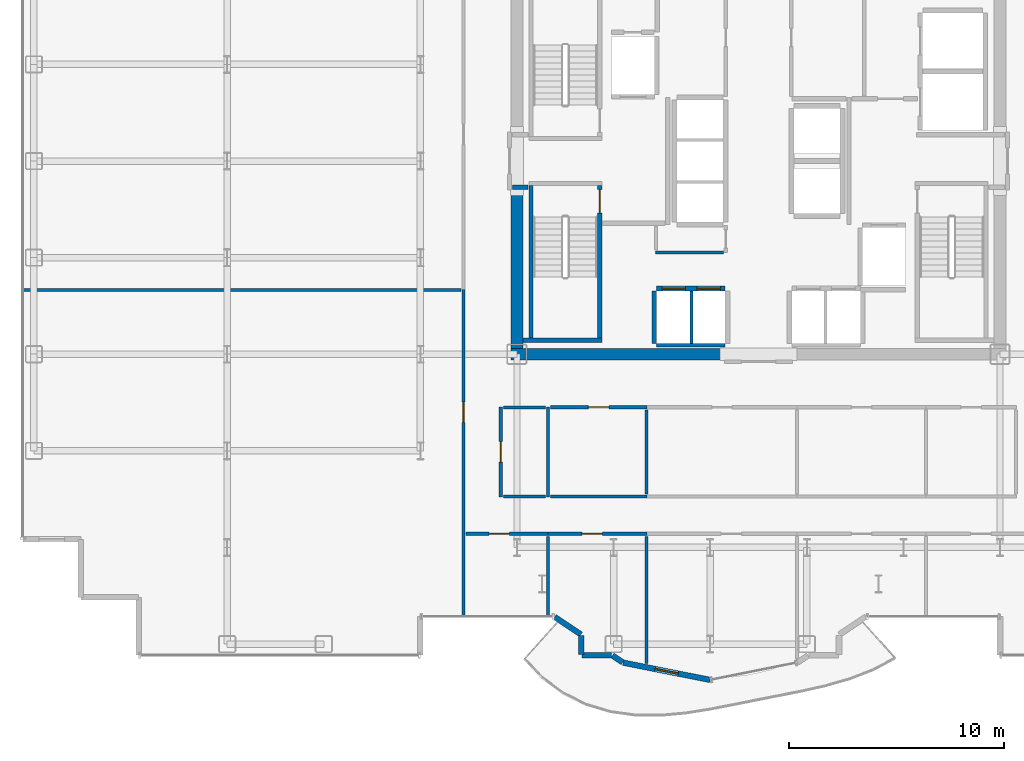
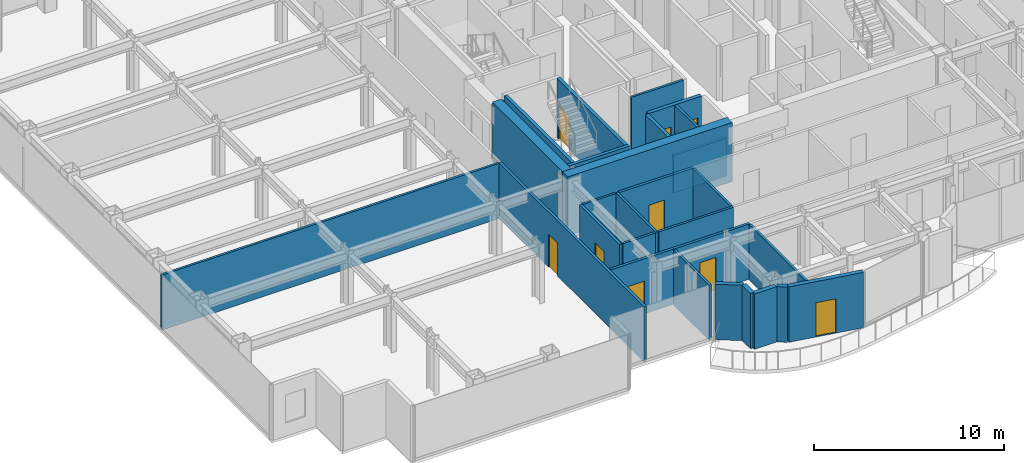
# One storey, part 15 of 22: 29 walls, 9 doors, 9 openings.
"""IFC4 building model written with IfcOpenShell, lengths in metres."""

from ifc_helpers import new_model, si_unit, direction, frame, frame_2d, origin, place, context, subcontext, project, spatial, rectangle, extrude, source, transform, mapped, material, layer, layer_set, type_object, element, fill, save


model = new_model("IFC4")

# Units and contexts
model_context = context("Model", 3, precision=1e-05, world=origin(), true_north=direction((0.0, 1.0)))
body_context = subcontext(model_context, "Body", "Model", "MODEL_VIEW")
ifc_project = project(units=[si_unit("LENGTHUNIT", "METRE"), si_unit("AREAUNIT", "SQUARE_METRE"), si_unit("VOLUMEUNIT", "CUBIC_METRE"), si_unit("PLANEANGLEUNIT", "RADIAN"), si_unit("MASSUNIT", "GRAM", prefix="KILO")], contexts=[model_context])

# Site, building, storey
site_placement = place(None, origin())
site = spatial("IfcSite", under=ifc_project, at=site_placement, CompositionType="ELEMENT")
building_placement = place(site_placement, origin())
building = spatial("IfcBuilding", under=site, at=building_placement, Name="Nefas-Gora Pilgrimage Tower", CompositionType="ELEMENT")
storey_placement = place(building_placement, frame((0.0, 0.0, 179.199951171875)))
storey = spatial("IfcBuildingStorey", under=building, at=storey_placement, Name="L44", CompositionType="ELEMENT", Elevation=179.199951171875)

# Walls
ifc_material_1 = material(Name="Concrete C60/75", Category="concrete")
ifc_layer_1 = layer(ifc_material_1, 0.550048828125)
ifc_layer_set_1 = layer_set([ifc_layer_1], Name="Concrete C60/75")
wall_type_1 = type_object("IfcWallType", Name="SW-CORE-550", PredefinedType="SHEAR", material=ifc_layer_set_1)
shared_shape_1 = source(origin(), body_context, "Body", "SweptSolid", [
    extrude(rectangle(XDim=9.974853515625, YDim=0.550048828125, at=frame_2d((4.9873046875, 0.0))), origin(), (0.0, 0.0, 1.0), 3.800048828125),
])
wall_1_placement = place(storey_placement, frame((-11.52490234375, -9.0, 0.0), z_axis=(0.0, 0.0, 1.0), x_axis=(1.0, 0.0, 0.0)))
element("IfcWall", 1, at=wall_1_placement, inside=storey, type_object=wall_type_1, Name="L44 Core Shear Wall S-West", PredefinedType="SHEAR", context=body_context, shape_type="MappedRepresentation", body=[
    mapped(shared_shape_1, transform((0.0, 0.0, 0.0), x_axis=(1.0, 0.0, 0.0), y_axis=(0.0, 1.0, 0.0), z_axis=(0.0, 0.0, 1.0), scale=1.0)),
])
shared_shape_2 = source(origin(), body_context, "Body", "SweptSolid", [
    extrude(rectangle(XDim=7.375, YDim=0.550048828125, at=frame_2d((3.6875, 0.0))), origin(), (0.0, 0.0, 1.0), 3.800048828125),
])
wall_2_placement = place(storey_placement, frame((-11.25, -8.72509765625, 0.0), z_axis=(0.0, 0.0, 1.0), x_axis=(0.0, 1.0, 0.0)))
element("IfcWall", 2, at=wall_2_placement, inside=storey, type_object=wall_type_1, Name="L44 Core Shear Wall W-South", PredefinedType="SHEAR", context=body_context, shape_type="MappedRepresentation", body=[
    mapped(shared_shape_2, transform((0.0, 0.0, 0.0), x_axis=(1.0, 0.0, 0.0), y_axis=(0.0, 1.0, 0.0), z_axis=(0.0, 0.0, 1.0), scale=1.0)),
])
ifc_material_2 = material(Name="Precast concrete C40/50", Category="concrete")
ifc_layer_2 = layer(ifc_material_2, 0.260009765625)
ifc_layer_set_2 = layer_set([ifc_layer_2], Name="Precast concrete C40/50")
wall_type_2 = type_object("IfcWallType", Name="EW-PORTAL-260", PredefinedType="SOLIDWALL", material=ifc_layer_set_2)
shared_shape_3 = source(origin(), body_context, "Body", "SweptSolid", [
    extrude(rectangle(XDim=1.468994140625, YDim=0.260009765625, at=frame_2d((0.734375, 0.0))), origin(), (0.0, 0.0, 1.0), 3.550048828125),
])
wall_3_placement = place(storey_placement, frame((-9.49462890625, -21.235595703125, 0.0), z_axis=(0.0, 0.0, 1.0), x_axis=(0.831461760506, -0.555581983884, 0.0)))
element("IfcWall", 3, at=wall_3_placement, inside=storey, type_object=wall_type_2, Name="L44 Lobe Shoulder Precast Spandrel Pier 30", PredefinedType="SOLIDWALL", context=body_context, shape_type="MappedRepresentation", body=[
    mapped(shared_shape_3, transform((0.0, 0.0, 0.0), x_axis=(1.0, 0.0, 0.0), y_axis=(0.0, 1.0, 0.0), z_axis=(0.0, 0.0, 1.0), scale=1.0)),
])
shared_shape_4 = source(origin(), body_context, "Body", "SweptSolid", [
    extrude(rectangle(XDim=0.896728515625, YDim=0.260009765625, at=frame_2d((0.4482421875, 0.0))), origin(), (0.0, 0.0, 1.0), 3.550048828125),
])
wall_4_placement = place(storey_placement, frame((-8.25, -22.09521484375, 0.0), z_axis=(0.0, 0.0, 1.0), x_axis=(0.0, -1.0, 0.0)))
element("IfcWall", 4, at=wall_4_placement, inside=storey, type_object=wall_type_2, Name="L44 Lobe Shoulder Precast Spandrel Pier 31", PredefinedType="SOLIDWALL", context=body_context, shape_type="MappedRepresentation", body=[
    mapped(shared_shape_4, transform((0.0, 0.0, 0.0), x_axis=(1.0, 0.0, 0.0), y_axis=(0.0, 1.0, 0.0), z_axis=(0.0, 0.0, 1.0), scale=1.0)),
])
shared_shape_5 = source(origin(), body_context, "Body", "SweptSolid", [
    extrude(rectangle(XDim=1.369873046875, YDim=0.260009765625, at=frame_2d((0.68505859375, 0.0))), origin(), (0.0, 0.0, 1.0), 3.550048828125),
])
wall_5_placement = place(storey_placement, frame((-8.221923828125, -23.02001953125, 0.0), z_axis=(0.0, 0.0, 1.0), x_axis=(1.0, 0.0, 0.0)))
element("IfcWall", 5, at=wall_5_placement, inside=storey, type_object=wall_type_2, Name="L44 Lobe Shoulder Precast Spandrel Pier 32", PredefinedType="SOLIDWALL", context=body_context, shape_type="MappedRepresentation", body=[
    mapped(shared_shape_5, transform((0.0, 0.0, 0.0), x_axis=(1.0, 0.0, 0.0), y_axis=(0.0, 1.0, 0.0), z_axis=(0.0, 0.0, 1.0), scale=1.0)),
])
shared_shape_6 = source(origin(), body_context, "Body", "SweptSolid", [
    extrude(rectangle(XDim=0.5654296875, YDim=0.260009765625, at=frame_2d((0.28271484375, 0.0))), origin(), (0.0, 0.0, 1.0), 3.550048828125),
])
wall_6_placement = place(storey_placement, frame((-6.80078125, -23.03564453125, 0.0), z_axis=(0.0, 0.0, 1.0), x_axis=(0.831651492666, -0.555297933317, 0.0)))
element("IfcWall", 6, at=wall_6_placement, inside=storey, type_object=wall_type_2, Name="L44 Lobe Shoulder Precast Spandrel Pier 33", PredefinedType="SOLIDWALL", context=body_context, shape_type="MappedRepresentation", body=[
    mapped(shared_shape_6, transform((0.0, 0.0, 0.0), x_axis=(1.0, 0.0, 0.0), y_axis=(0.0, 1.0, 0.0), z_axis=(0.0, 0.0, 1.0), scale=1.0)),
])

# Wall, opening, door
shared_shape_7 = source(origin(), body_context, "Body", "SweptSolid", [
    extrude(rectangle(XDim=4.136962890625, YDim=0.260009765625, at=frame_2d((2.068359375, 0.0))), origin(), (0.0, 0.0, 1.0), 3.550048828125),
])
wall_7_placement = place(storey_placement, frame((-6.307373046875, -23.365234375, 0.0), z_axis=(0.0, 0.0, 1.0), x_axis=(0.980782170794, -0.195105954428, 0.0)))
wall_7 = element("IfcWall", 7, at=wall_7_placement, inside=storey, type_object=wall_type_2, Name="L44 Insulated Terrace Portal Wall 34", PredefinedType="SOLIDWALL", context=body_context, shape_type="MappedRepresentation", body=[
    mapped(shared_shape_7, transform((0.0, 0.0, 0.0), x_axis=(1.0, 0.0, 0.0), y_axis=(0.0, 1.0, 0.0), z_axis=(0.0, 0.0, 1.0), scale=1.0)),
])
opening_1_placement = place(wall_7_placement, frame((1.518310546875, 0.0, 0.0)))
opening_1 = element("IfcOpeningElement", 8, at=opening_1_placement, cuts=wall_7, Name="Opening ED-B1", PredefinedType="OPENING", context=body_context, shape_type="SweptSolid", body=[
    extrude(rectangle(XDim=1.10009765625, YDim=2.199951171875, at=frame_2d((0.550048828125, 1.10009765625))), frame((0.0, 0.139892578125, 0.0), z_axis=(0.0, -1.0, 0.0), x_axis=(1.0, 0.0, 0.0)), (0.0, 0.0, 1.0), 0.280029296875),
])
ifc_material_3 = material(Name="Thermally broken glazed aluminium balcony door", Category="aluminium")
door_type_1 = type_object("IfcDoorType", Name="DR-EXT-BAL-1100", OperationType="NOTDEFINED", PredefinedType="DOOR", material=ifc_material_3)
shared_shape_8 = source(origin(), body_context, "Body", "SweptSolid", [
    extrude(rectangle(XDim=1.10009765625, YDim=2.199951171875, at=frame_2d((0.550048828125, 1.10009765625))), frame((0.0, 0.02490234375, 0.0), z_axis=(0.0, -1.0, 0.0), x_axis=(1.0, 0.0, 0.0)), (0.0, 0.0, 1.0), 0.050048828125),
])
door_1_placement = place(opening_1_placement, origin())
door_1 = element("IfcDoor", 9, at=door_1_placement, inside=storey, type_object=door_type_1, Name="L44 Exterior Door (L44 S Lobe Wave Balcony)", OperationType="SINGLE_SWING_RIGHT", OverallHeight=2.199951171875, OverallWidth=1.10009765625, PredefinedType="DOOR", context=body_context, shape_type="MappedRepresentation", body=[
    mapped(shared_shape_8, transform((0.0, 0.0, 0.0), x_axis=(1.0, 0.0, 0.0), y_axis=(0.0, 1.0, 0.0), z_axis=(0.0, 0.0, 1.0), scale=1.0)),
])
fill(opening_1, door_1)

# Wall
ifc_material_4 = material(Name="Concrete C45/55", Category="concrete")
ifc_layer_3 = layer(ifc_material_4, 0.199951171875)
ifc_layer_set_3 = layer_set([ifc_layer_3], Name="Concrete C45/55")
wall_type_3 = type_object("IfcWallType", Name="IW-STAIR-200", PredefinedType="SOLIDWALL", material=ifc_layer_set_3)
shared_shape_9 = source(origin(), body_context, "Body", "SweptSolid", [
    extrude(rectangle(XDim=7.10009765625, YDim=0.199951171875, at=frame_2d((3.550048828125, 0.0))), origin(), (0.0, 0.0, 1.0), 3.800048828125),
])
wall_8_placement = place(storey_placement, frame((-10.60009765625, -1.14990234375, 0.0), z_axis=(0.0, 0.0, 1.0), x_axis=(0.0, -1.0, 0.0)))
element("IfcWall", 10, at=wall_8_placement, inside=storey, type_object=wall_type_3, Name="L44 Stairwell Shear Wall ST-03-left", PredefinedType="SOLIDWALL", context=body_context, shape_type="MappedRepresentation", body=[
    mapped(shared_shape_9, transform((0.0, 0.0, 0.0), x_axis=(1.0, 0.0, 0.0), y_axis=(0.0, 1.0, 0.0), z_axis=(0.0, 0.0, 1.0), scale=1.0)),
])

# Wall, opening, door
wall_9_placement = place(storey_placement, frame((-7.39990234375, -1.14990234375, 0.0), z_axis=(0.0, 0.0, 1.0), x_axis=(0.0, -1.0, 0.0)))
wall_9 = element("IfcWall", 11, at=wall_9_placement, inside=storey, type_object=wall_type_3, Name="L44 Stairwell Shear Wall ST-03-right", PredefinedType="SOLIDWALL", context=body_context, shape_type="MappedRepresentation", body=[
    mapped(shared_shape_9, transform((0.0, 0.0, 0.0), x_axis=(1.0, 0.0, 0.0), y_axis=(0.0, 1.0, 0.0), z_axis=(0.0, 0.0, 1.0), scale=1.0)),
])
opening_2_placement = place(wall_9_placement, frame((0.179931640625, 0.0, 0.0)))
opening_2 = element("IfcOpeningElement", 12, at=opening_2_placement, cuts=wall_9, Name="Opening ID-ST1", PredefinedType="OPENING", context=body_context, shape_type="SweptSolid", body=[
    extrude(rectangle(XDim=1.10009765625, YDim=2.14990234375, at=frame_2d((0.550048828125, 1.074951171875))), frame((0.0, 0.10986328125, 0.0), z_axis=(0.0, -1.0, 0.0), x_axis=(1.0, 0.0, 0.0)), (0.0, 0.0, 1.0), 0.219970703125),
])
ifc_material_5 = material(Name="Painted galvanised steel fire stair door", Category="steel")
door_type_2 = type_object("IfcDoorType", Name="DR-INT-STAIR-1100", OperationType="NOTDEFINED", PredefinedType="DOOR", material=ifc_material_5)
shared_shape_10 = source(origin(), body_context, "Body", "SweptSolid", [
    extrude(rectangle(XDim=1.10009765625, YDim=2.14990234375, at=frame_2d((0.550048828125, 1.074951171875))), frame((0.0, 0.02490234375, 0.0), z_axis=(0.0, -1.0, 0.0), x_axis=(1.0, 0.0, 0.0)), (0.0, 0.0, 1.0), 0.050048828125),
])
door_2_placement = place(opening_2_placement, origin())
door_2 = element("IfcDoor", 13, at=door_2_placement, inside=storey, type_object=door_type_2, Name="L44 Protected Exit Stair Door ST-03", OperationType="SINGLE_SWING_RIGHT", OverallHeight=2.14990234375, OverallWidth=1.10009765625, PredefinedType="DOOR", context=body_context, shape_type="MappedRepresentation", body=[
    mapped(shared_shape_10, transform((0.0, 0.0, 0.0), x_axis=(1.0, 0.0, 0.0), y_axis=(0.0, 1.0, 0.0), z_axis=(0.0, 0.0, 1.0), scale=1.0)),
])
fill(opening_2, door_2)

# Walls
shared_shape_11 = source(origin(), body_context, "Body", "SweptSolid", [
    extrude(rectangle(XDim=3.679931640625, YDim=0.199951171875, at=frame_2d((1.83984375, 0.0))), origin(), (0.0, 0.0, 1.0), 3.800048828125),
])
wall_10_placement = place(storey_placement, frame((-10.97998046875, -8.35009765625, 0.0), z_axis=(0.0, 0.0, 1.0), x_axis=(1.0, 0.0, 0.0)))
element("IfcWall", 14, at=wall_10_placement, inside=storey, type_object=wall_type_3, Name="L44 Stairwell Shear Wall ST-03-far", PredefinedType="SOLIDWALL", context=body_context, shape_type="MappedRepresentation", body=[
    mapped(shared_shape_11, transform((0.0, 0.0, 0.0), x_axis=(1.0, 0.0, 0.0), y_axis=(0.0, 1.0, 0.0), z_axis=(0.0, 0.0, 1.0), scale=1.0)),
])
ifc_material_6 = material(Name="Gypsum acoustic stud partition")
ifc_layer_4 = layer(ifc_material_6, 0.159912109375)
ifc_layer_set_4 = layer_set([ifc_layer_4], Name="Gypsum acoustic stud partition")
wall_type_4 = type_object("IfcWallType", Name="IW-CORR-160", PredefinedType="PARTITIONING", material=ifc_layer_set_4)
shared_shape_12 = source(origin(), body_context, "Body", "SweptSolid", [
    extrude(rectangle(XDim=3.199951171875, YDim=0.159912109375, at=frame_2d((1.60009765625, 0.0))), origin(), (0.0, 0.0, 1.0), 2.425048828125),
])
wall_11_placement = place(storey_placement, frame((-4.75, -8.580078125, 0.0), z_axis=(0.0, 0.0, 1.0), x_axis=(1.0, 0.0, 0.0)))
element("IfcWall", 15, at=wall_11_placement, inside=storey, type_object=wall_type_4, Name="L44 Hoistway Wall PL2-W-S", PredefinedType="PARTITIONING", context=body_context, shape_type="MappedRepresentation", body=[
    mapped(shared_shape_12, transform((0.0, 0.0, 0.0), x_axis=(1.0, 0.0, 0.0), y_axis=(0.0, 1.0, 0.0), z_axis=(0.0, 0.0, 1.0), scale=1.0)),
])

# Wall, openings, doors
ifc_material_7 = material(Name="Concrete C40/50", Category="concrete")
ifc_layer_5 = layer(ifc_material_7, 0.219970703125)
ifc_layer_set_5 = layer_set([ifc_layer_5], Name="Concrete C40/50")
wall_type_5 = type_object("IfcWallType", Name="IW-SHAFT-220", PredefinedType="SOLIDWALL", material=ifc_layer_set_5)
shared_shape_13 = source(origin(), body_context, "Body", "SweptSolid", [
    extrude(rectangle(XDim=3.199951171875, YDim=0.219970703125, at=frame_2d((1.60009765625, 0.0))), origin(), (0.0, 0.0, 1.0), 3.53515625),
])
wall_12_placement = place(storey_placement, frame((-1.550048828125, -5.93994140625, 0.0), z_axis=(0.0, 0.0, 1.0), x_axis=(-1.0, 0.0, 0.0)))
wall_12 = element("IfcWall", 16, at=wall_12_placement, inside=storey, type_object=wall_type_5, Name="L44 Hoistway Wall PL2-W-N", PredefinedType="SOLIDWALL", context=body_context, shape_type="MappedRepresentation", body=[
    mapped(shared_shape_13, transform((0.0, 0.0, 0.0), x_axis=(1.0, 0.0, 0.0), y_axis=(0.0, 1.0, 0.0), z_axis=(0.0, 0.0, 1.0), scale=1.0)),
])
opening_3_placement = place(wall_12_placement, frame((1.85009765625, 0.0, 0.0)))
opening_3 = element("IfcOpeningElement", 17, at=opening_3_placement, cuts=wall_12, Name="Opening LD-01", PredefinedType="OPENING", context=body_context, shape_type="SweptSolid", body=[
    extrude(rectangle(XDim=1.10009765625, YDim=2.199951171875, at=frame_2d((0.550048828125, 1.10009765625))), frame((0.0, 0.119873046875, 0.0), z_axis=(0.0, -1.0, 0.0), x_axis=(1.0, 0.0, 0.0)), (0.0, 0.0, 1.0), 0.239990234375),
])
opening_4_placement = place(wall_12_placement, frame((0.22509765625, 0.0, 0.0)))
opening_4 = element("IfcOpeningElement", 18, at=opening_4_placement, cuts=wall_12, Name="Opening LD-01", PredefinedType="OPENING", context=body_context, shape_type="SweptSolid", body=[
    extrude(rectangle(XDim=1.10009765625, YDim=2.199951171875, at=frame_2d((0.550048828125, 1.10009765625))), frame((0.0, 0.119873046875, 0.0), z_axis=(0.0, -1.0, 0.0), x_axis=(1.0, 0.0, 0.0)), (0.0, 0.0, 1.0), 0.239990234375),
])
ifc_material_8 = material(Name="Brushed stainless sliding lift landing door")
door_type_3 = type_object("IfcDoorType", Name="DR-LIFT-PASS-1100", OperationType="DOUBLE_DOOR_SLIDING", PredefinedType="DOOR", material=ifc_material_8)
door_3_placement = place(opening_3_placement, origin())
door_3 = element("IfcDoor", 19, at=door_3_placement, inside=storey, type_object=door_type_3, Name="L44 Sliding Lift Landing Door PL2-01", OperationType="DOUBLE_DOOR_SLIDING", OverallHeight=2.199951171875, OverallWidth=1.10009765625, PredefinedType="DOOR", context=body_context, shape_type="MappedRepresentation", body=[
    mapped(shared_shape_8, transform((0.0, 0.0, 0.0), x_axis=(1.0, 0.0, 0.0), y_axis=(0.0, 1.0, 0.0), z_axis=(0.0, 0.0, 1.0), scale=1.0)),
])
fill(opening_3, door_3)
door_4_placement = place(opening_4_placement, origin())
door_4 = element("IfcDoor", 20, at=door_4_placement, inside=storey, type_object=door_type_3, Name="L44 Sliding Lift Landing Door PL2-02", OperationType="DOUBLE_DOOR_SLIDING", OverallHeight=2.199951171875, OverallWidth=1.10009765625, PredefinedType="DOOR", context=body_context, shape_type="MappedRepresentation", body=[
    mapped(shared_shape_8, transform((0.0, 0.0, 0.0), x_axis=(1.0, 0.0, 0.0), y_axis=(0.0, 1.0, 0.0), z_axis=(0.0, 0.0, 1.0), scale=1.0)),
])
fill(opening_4, door_4)

# Walls
shared_shape_14 = source(origin(), body_context, "Body", "SweptSolid", [
    extrude(rectangle(XDim=2.429931640625, YDim=0.219970703125, at=frame_2d((1.21484375, 0.0))), origin(), (0.0, 0.0, 1.0), 3.53515625),
])
wall_13_placement = place(storey_placement, frame((-4.860107421875, -6.06005859375, 0.0), z_axis=(0.0, 0.0, 1.0), x_axis=(0.0, -1.0, 0.0)))
element("IfcWall", 21, at=wall_13_placement, inside=storey, type_object=wall_type_5, Name="L44 Hoistway Wall PL2-W-W", PredefinedType="SOLIDWALL", context=body_context, shape_type="MappedRepresentation", body=[
    mapped(shared_shape_14, transform((0.0, 0.0, 0.0), x_axis=(1.0, 0.0, 0.0), y_axis=(0.0, 1.0, 0.0), z_axis=(0.0, 0.0, 1.0), scale=1.0)),
])
ifc_material_9 = material(Name="Gypsum twin-stud partition")
ifc_layer_6 = layer(ifc_material_9, 0.139892578125)
ifc_layer_set_6 = layer_set([ifc_layer_6], Name="Gypsum twin-stud partition")
wall_type_6 = type_object("IfcWallType", Name="IW-UNIT-140", PredefinedType="PARTITIONING", material=ifc_layer_set_6)
shared_shape_15 = source(origin(), body_context, "Body", "SweptSolid", [
    extrude(rectangle(XDim=2.429931640625, YDim=0.139892578125, at=frame_2d((1.21484375, 0.0))), origin(), (0.0, 0.0, 1.0), 3.53515625),
])
wall_14_placement = place(storey_placement, frame((-3.125, -8.489990234375, 0.0), z_axis=(0.0, 0.0, 1.0), x_axis=(0.0, 1.0, 0.0)))
element("IfcWall", 22, at=wall_14_placement, inside=storey, type_object=wall_type_6, Name="L44 Hoistway Wall PL2-W-DIV", PredefinedType="PARTITIONING", context=body_context, shape_type="MappedRepresentation", body=[
    mapped(shared_shape_15, transform((0.0, 0.0, 0.0), x_axis=(1.0, 0.0, 0.0), y_axis=(0.0, 1.0, 0.0), z_axis=(0.0, 0.0, 1.0), scale=1.0)),
])
ifc_material_10 = material(Name="Gypsum fire-rated shaftwall")
ifc_layer_7 = layer(ifc_material_10, 0.199951171875)
ifc_layer_set_7 = layer_set([ifc_layer_7], Name="Gypsum fire-rated shaftwall")
wall_type_7 = type_object("IfcWallType", Name="IW-FFLOB-200", PredefinedType="PARTITIONING", material=ifc_layer_set_7)
shared_shape_16 = source(origin(), body_context, "Body", "SweptSolid", [
    extrude(rectangle(XDim=0.719970703125, YDim=0.199951171875, at=frame_2d((0.35986328125, 0.0))), origin(), (0.0, 0.0, 1.0), 3.53515625),
])
wall_15_placement = place(storey_placement, frame((-11.4599609375, -1.219970703125, 0.0), z_axis=(0.0, 0.0, 1.0), x_axis=(1.0, 0.0, 0.0)))
element("IfcWall", 23, at=wall_15_placement, inside=storey, type_object=wall_type_7, Name="L44 FF Lobby West Throat S Wall 8", PredefinedType="PARTITIONING", context=body_context, shape_type="MappedRepresentation", body=[
    mapped(shared_shape_16, transform((0.0, 0.0, 0.0), x_axis=(1.0, 0.0, 0.0), y_axis=(0.0, 1.0, 0.0), z_axis=(0.0, 0.0, 1.0), scale=1.0)),
])
shared_shape_17 = source(origin(), body_context, "Body", "SweptSolid", [
    extrude(rectangle(XDim=3.150146484375, YDim=0.139892578125, at=frame_2d((1.5751953125, 0.0))), origin(), (0.0, 0.0, 1.0), 3.53515625),
])
wall_16_placement = place(storey_placement, frame((-4.7900390625, -4.25, 0.0), z_axis=(0.0, 0.0, 1.0), x_axis=(1.0, 0.0, 0.0)))
element("IfcWall", 24, at=wall_16_placement, inside=storey, type_object=wall_type_6, Name="L44 Pilgrim Baggage and Gear Vault Partition Wall 21", PredefinedType="PARTITIONING", context=body_context, shape_type="MappedRepresentation", body=[
    mapped(shared_shape_17, transform((0.0, 0.0, 0.0), x_axis=(1.0, 0.0, 0.0), y_axis=(0.0, 1.0, 0.0), z_axis=(0.0, 0.0, 1.0), scale=1.0)),
])
shared_shape_18 = source(origin(), body_context, "Body", "SweptSolid", [
    extrude(rectangle(XDim=20.429931640625, YDim=0.139892578125, at=frame_2d((10.21484375, 0.0))), origin(), (0.0, 0.0, 1.0), 3.53515625),
])
wall_17_placement = place(storey_placement, frame((-34.2900390625, -6.0048828125, 0.0), z_axis=(0.0, 0.0, 1.0), x_axis=(1.0, 0.0, 0.0)))
element("IfcWall", 25, at=wall_17_placement, inside=storey, type_object=wall_type_6, Name="L44 Pilgrim Tea and Beverage Pantry Partition Wall 29", PredefinedType="PARTITIONING", context=body_context, shape_type="MappedRepresentation", body=[
    mapped(shared_shape_18, transform((0.0, 0.0, 0.0), x_axis=(1.0, 0.0, 0.0), y_axis=(0.0, 1.0, 0.0), z_axis=(0.0, 0.0, 1.0), scale=1.0)),
])

# Wall, opening, door
shared_shape_19 = source(origin(), body_context, "Body", "SweptSolid", [
    extrude(rectangle(XDim=15.244873046875, YDim=0.159912109375, at=frame_2d((7.62255859375, 0.0))), origin(), (0.0, 0.0, 1.0), 3.53515625),
])
wall_18_placement = place(storey_placement, frame((-13.739990234375, -21.239990234375, 0.0), z_axis=(0.0, 0.0, 1.0), x_axis=(0.0, 1.0, 0.0)))
wall_18 = element("IfcWall", 26, at=wall_18_placement, inside=storey, type_object=wall_type_4, Name="L44 Pilgrim Tea and Beverage Pantry Partition Wall 28", PredefinedType="PARTITIONING", context=body_context, shape_type="MappedRepresentation", body=[
    mapped(shared_shape_19, transform((0.0, 0.0, 0.0), x_axis=(1.0, 0.0, 0.0), y_axis=(0.0, 1.0, 0.0), z_axis=(0.0, 0.0, 1.0), scale=1.0)),
])
opening_5_placement = place(wall_18_placement, frame((9.0625, 0.0, 0.0)))
opening_5 = element("IfcOpeningElement", 27, at=opening_5_placement, cuts=wall_18, Name="Opening ID-GR1", PredefinedType="OPENING", context=body_context, shape_type="SweptSolid", body=[
    extrude(rectangle(XDim=0.949951171875, YDim=2.10009765625, at=frame_2d((0.47509765625, 1.050048828125))), frame((0.0, 0.08984375, 0.0), z_axis=(0.0, -1.0, 0.0), x_axis=(1.0, 0.0, 0.0)), (0.0, 0.0, 1.0), 0.179931640625),
])
ifc_material_11 = material(Name="Solid core oak fire-rated guest entrance door")
door_type_4 = type_object("IfcDoorType", Name="DR-INT-GUEST-950", OperationType="NOTDEFINED", PredefinedType="DOOR", material=ifc_material_11)
shared_shape_20 = source(origin(), body_context, "Body", "SweptSolid", [
    extrude(rectangle(XDim=0.949951171875, YDim=2.10009765625, at=frame_2d((0.47509765625, 1.050048828125))), frame((0.0, 0.02490234375, 0.0), z_axis=(0.0, -1.0, 0.0), x_axis=(1.0, 0.0, 0.0)), (0.0, 0.0, 1.0), 0.050048828125),
])
door_5_placement = place(opening_5_placement, origin())
door_5 = element("IfcDoor", 28, at=door_5_placement, inside=storey, type_object=door_type_4, Name="L44 Pilgrim Tea and Beverage Pantry Door 11", OperationType="SINGLE_SWING_RIGHT", OverallHeight=2.10009765625, OverallWidth=0.949951171875, PredefinedType="DOOR", context=body_context, shape_type="MappedRepresentation", body=[
    mapped(shared_shape_20, transform((0.0, 0.0, 0.0), x_axis=(1.0, 0.0, 0.0), y_axis=(0.0, 1.0, 0.0), z_axis=(0.0, 0.0, 1.0), scale=1.0)),
])
fill(opening_5, door_5)

shared_shape_21 = source(origin(), body_context, "Body", "SweptSolid", [
    extrude(rectangle(XDim=3.8251953125, YDim=0.159912109375, at=frame_2d((1.91259765625, 0.0))), origin(), (0.0, 0.0, 1.0), 3.53515625),
])
wall_19_placement = place(storey_placement, frame((-13.6201171875, -17.3701171875, 0.0), z_axis=(0.0, 0.0, 1.0), x_axis=(1.0, 0.0, 0.0)))
wall_19 = element("IfcWall", 29, at=wall_19_placement, inside=storey, type_object=wall_type_4, Name="L44 Pilgrim Contemplative Lounge Partition Wall 64", PredefinedType="PARTITIONING", context=body_context, shape_type="MappedRepresentation", body=[
    mapped(shared_shape_21, transform((0.0, 0.0, 0.0), x_axis=(1.0, 0.0, 0.0), y_axis=(0.0, 1.0, 0.0), z_axis=(0.0, 0.0, 1.0), scale=1.0)),
])
opening_6_placement = place(wall_19_placement, frame((1.067138671875, 0.0, 0.0)))
opening_6 = element("IfcOpeningElement", 30, at=opening_6_placement, cuts=wall_19, Name="Opening ID-GR1", PredefinedType="OPENING", context=body_context, shape_type="SweptSolid", body=[
    extrude(rectangle(XDim=0.949951171875, YDim=2.10009765625, at=frame_2d((0.47509765625, 1.050048828125))), frame((0.0, 0.08984375, 0.0), z_axis=(0.0, -1.0, 0.0), x_axis=(1.0, 0.0, 0.0)), (0.0, 0.0, 1.0), 0.179931640625),
])
door_6_placement = place(opening_6_placement, origin())
door_6 = element("IfcDoor", 31, at=door_6_placement, inside=storey, type_object=door_type_4, Name="L44 Pilgrim Contemplative Lounge Door 29", OperationType="SINGLE_SWING_RIGHT", OverallHeight=2.10009765625, OverallWidth=0.949951171875, PredefinedType="DOOR", context=body_context, shape_type="MappedRepresentation", body=[
    mapped(shared_shape_20, transform((0.0, 0.0, 0.0), x_axis=(1.0, 0.0, 0.0), y_axis=(0.0, 1.0, 0.0), z_axis=(0.0, 0.0, 1.0), scale=1.0)),
])
fill(opening_6, door_6)

shared_shape_22 = source(origin(), body_context, "Body", "SweptSolid", [
    extrude(rectangle(XDim=4.60986328125, YDim=0.159912109375, at=frame_2d((2.304931640625, 0.0))), origin(), (0.0, 0.0, 1.0), 3.53515625),
])
wall_20_placement = place(storey_placement, frame((-9.804931640625, -17.3701171875, 0.0), z_axis=(0.0, 0.0, 1.0), x_axis=(1.0, 0.0, 0.0)))
wall_20 = element("IfcWall", 32, at=wall_20_placement, inside=storey, type_object=wall_type_4, Name="L44 Pilgrim Contemplative Lounge Partition Wall 70", PredefinedType="PARTITIONING", context=body_context, shape_type="MappedRepresentation", body=[
    mapped(shared_shape_22, transform((0.0, 0.0, 0.0), x_axis=(1.0, 0.0, 0.0), y_axis=(0.0, 1.0, 0.0), z_axis=(0.0, 0.0, 1.0), scale=1.0)),
])
opening_7_placement = place(wall_20_placement, frame((1.58203125, 0.0, 0.0)))
opening_7 = element("IfcOpeningElement", 33, at=opening_7_placement, cuts=wall_20, Name="Opening ID-GR1", PredefinedType="OPENING", context=body_context, shape_type="SweptSolid", body=[
    extrude(rectangle(XDim=0.949951171875, YDim=2.10009765625, at=frame_2d((0.47509765625, 1.050048828125))), frame((0.0, 0.08984375, 0.0), z_axis=(0.0, -1.0, 0.0), x_axis=(1.0, 0.0, 0.0)), (0.0, 0.0, 1.0), 0.179931640625),
])
door_7_placement = place(opening_7_placement, origin())
door_7 = element("IfcDoor", 34, at=door_7_placement, inside=storey, type_object=door_type_4, Name="L44 Pilgrim Contemplative Lounge Door 31", OperationType="SINGLE_SWING_RIGHT", OverallHeight=2.10009765625, OverallWidth=0.949951171875, PredefinedType="DOOR", context=body_context, shape_type="MappedRepresentation", body=[
    mapped(shared_shape_20, transform((0.0, 0.0, 0.0), x_axis=(1.0, 0.0, 0.0), y_axis=(0.0, 1.0, 0.0), z_axis=(0.0, 0.0, 1.0), scale=1.0)),
])
fill(opening_7, door_7)

# Walls
shared_shape_23 = source(origin(), body_context, "Body", "SweptSolid", [
    extrude(rectangle(XDim=3.929931640625, YDim=0.139892578125, at=frame_2d((1.96484375, 0.0))), origin(), (0.0, 0.0, 1.0), 3.53515625),
])
wall_21_placement = place(storey_placement, frame((-5.205078125, -15.52001953125, 0.0), z_axis=(0.0, 0.0, 1.0), x_axis=(0.0, 1.0, 0.0)))
element("IfcWall", 35, at=wall_21_placement, inside=storey, type_object=wall_type_6, Name="L44 Pilgrim Contemplative Lounge Partition Wall 74", PredefinedType="PARTITIONING", context=body_context, shape_type="MappedRepresentation", body=[
    mapped(shared_shape_23, transform((0.0, 0.0, 0.0), x_axis=(1.0, 0.0, 0.0), y_axis=(0.0, 1.0, 0.0), z_axis=(0.0, 0.0, 1.0), scale=1.0)),
])
shared_shape_24 = source(origin(), body_context, "Body", "SweptSolid", [
    extrude(rectangle(XDim=3.75, YDim=0.139892578125, at=frame_2d((1.875, 0.0))), origin(), (0.0, 0.0, 1.0), 3.53515625),
])
wall_22_placement = place(storey_placement, frame((-9.804931640625, -21.239990234375, 0.0), z_axis=(0.0, 0.0, 1.0), x_axis=(0.0, 1.0, 0.0)))
element("IfcWall", 36, at=wall_22_placement, inside=storey, type_object=wall_type_6, Name="L44 Pilgrim Contemplative Lounge Partition Wall 65", PredefinedType="PARTITIONING", context=body_context, shape_type="MappedRepresentation", body=[
    mapped(shared_shape_24, transform((0.0, 0.0, 0.0), x_axis=(1.0, 0.0, 0.0), y_axis=(0.0, 1.0, 0.0), z_axis=(0.0, 0.0, 1.0), scale=1.0)),
])
shared_shape_25 = source(origin(), body_context, "Body", "SweptSolid", [
    extrude(rectangle(XDim=4.179931640625, YDim=0.139892578125, at=frame_2d((2.08984375, 0.0))), origin(), (0.0, 0.0, 1.0), 3.53515625),
])
wall_23_placement = place(storey_placement, frame((-9.804931640625, -15.639892578125, 0.0), z_axis=(0.0, 0.0, 1.0), x_axis=(0.0, 1.0, 0.0)))
element("IfcWall", 37, at=wall_23_placement, inside=storey, type_object=wall_type_6, Name="L44 Pilgrim Contemplative Lounge Partition Wall 67", PredefinedType="PARTITIONING", context=body_context, shape_type="MappedRepresentation", body=[
    mapped(shared_shape_25, transform((0.0, 0.0, 0.0), x_axis=(1.0, 0.0, 0.0), y_axis=(0.0, 1.0, 0.0), z_axis=(0.0, 0.0, 1.0), scale=1.0)),
])

# Wall, opening, door
shared_shape_26 = source(origin(), body_context, "Body", "SweptSolid", [
    extrude(rectangle(XDim=4.179931640625, YDim=0.159912109375, at=frame_2d((2.08984375, 0.0))), origin(), (0.0, 0.0, 1.0), 3.53515625),
])
wall_24_placement = place(storey_placement, frame((-12.0, -15.639892578125, 0.0), z_axis=(0.0, 0.0, 1.0), x_axis=(0.0, 1.0, 0.0)))
wall_24 = element("IfcWall", 38, at=wall_24_placement, inside=storey, type_object=wall_type_4, Name="L44 Pilgrim Contemplative Lounge Partition Wall 66", PredefinedType="PARTITIONING", context=body_context, shape_type="MappedRepresentation", body=[
    mapped(shared_shape_26, transform((0.0, 0.0, 0.0), x_axis=(1.0, 0.0, 0.0), y_axis=(0.0, 1.0, 0.0), z_axis=(0.0, 0.0, 1.0), scale=1.0)),
])
opening_8_placement = place(wall_24_placement, frame((1.614990234375, 0.0, 0.0)))
opening_8 = element("IfcOpeningElement", 39, at=opening_8_placement, cuts=wall_24, Name="Opening ID-GR1", PredefinedType="OPENING", context=body_context, shape_type="SweptSolid", body=[
    extrude(rectangle(XDim=0.949951171875, YDim=2.10009765625, at=frame_2d((0.47509765625, 1.050048828125))), frame((0.0, 0.08984375, 0.0), z_axis=(0.0, -1.0, 0.0), x_axis=(1.0, 0.0, 0.0)), (0.0, 0.0, 1.0), 0.179931640625),
])
door_8_placement = place(opening_8_placement, origin())
door_8 = element("IfcDoor", 40, at=door_8_placement, inside=storey, type_object=door_type_4, Name="L44 Pilgrim Contemplative Lounge Door 30", OperationType="SINGLE_SWING_LEFT", OverallHeight=2.10009765625, OverallWidth=0.949951171875, PredefinedType="DOOR", context=body_context, shape_type="MappedRepresentation", body=[
    mapped(shared_shape_20, transform((0.0, 0.0, 0.0), x_axis=(1.0, 0.0, 0.0), y_axis=(0.0, 1.0, 0.0), z_axis=(0.0, 0.0, 1.0), scale=1.0)),
])
fill(opening_8, door_8)

shared_shape_27 = source(origin(), body_context, "Body", "SweptSolid", [
    extrude(rectangle(XDim=4.5, YDim=0.159912109375, at=frame_2d((2.25, 0.0))), origin(), (0.0, 0.0, 1.0), 3.53515625),
])
wall_25_placement = place(storey_placement, frame((-9.695068359375, -11.469970703125, 0.0), z_axis=(0.0, 0.0, 1.0), x_axis=(1.0, 0.0, 0.0)))
wall_25 = element("IfcWall", 41, at=wall_25_placement, inside=storey, type_object=wall_type_4, Name="L44 Pilgrim Contemplative Lounge Partition Wall 72", PredefinedType="PARTITIONING", context=body_context, shape_type="MappedRepresentation", body=[
    mapped(shared_shape_27, transform((0.0, 0.0, 0.0), x_axis=(1.0, 0.0, 0.0), y_axis=(0.0, 1.0, 0.0), z_axis=(0.0, 0.0, 1.0), scale=1.0)),
])
opening_9_placement = place(wall_25_placement, frame((1.77490234375, 0.0, 0.0)))
opening_9 = element("IfcOpeningElement", 42, at=opening_9_placement, cuts=wall_25, Name="Opening ID-GR1", PredefinedType="OPENING", context=body_context, shape_type="SweptSolid", body=[
    extrude(rectangle(XDim=0.949951171875, YDim=2.10009765625, at=frame_2d((0.47509765625, 1.050048828125))), frame((0.0, 0.08984375, 0.0), z_axis=(0.0, -1.0, 0.0), x_axis=(1.0, 0.0, 0.0)), (0.0, 0.0, 1.0), 0.179931640625),
])
door_9_placement = place(opening_9_placement, origin())
door_9 = element("IfcDoor", 43, at=door_9_placement, inside=storey, type_object=door_type_4, Name="L44 Pilgrim Contemplative Lounge Door 32", OperationType="SINGLE_SWING_LEFT", OverallHeight=2.10009765625, OverallWidth=0.949951171875, PredefinedType="DOOR", context=body_context, shape_type="MappedRepresentation", body=[
    mapped(shared_shape_20, transform((0.0, 0.0, 0.0), x_axis=(1.0, 0.0, 0.0), y_axis=(0.0, 1.0, 0.0), z_axis=(0.0, 0.0, 1.0), scale=1.0)),
])
fill(opening_9, door_9)

# Walls
shared_shape_28 = source(origin(), body_context, "Body", "SweptSolid", [
    extrude(rectangle(XDim=4.5, YDim=0.139892578125, at=frame_2d((2.25, 0.0))), origin(), (0.0, 0.0, 1.0), 3.53515625),
])
wall_26_placement = place(storey_placement, frame((-9.695068359375, -15.6298828125, 0.0), z_axis=(0.0, 0.0, 1.0), x_axis=(1.0, 0.0, 0.0)))
element("IfcWall", 44, at=wall_26_placement, inside=storey, type_object=wall_type_6, Name="L44 Pilgrim Contemplative Lounge Partition Wall 73", PredefinedType="PARTITIONING", context=body_context, shape_type="MappedRepresentation", body=[
    mapped(shared_shape_28, transform((0.0, 0.0, 0.0), x_axis=(1.0, 0.0, 0.0), y_axis=(0.0, 1.0, 0.0), z_axis=(0.0, 0.0, 1.0), scale=1.0)),
])
shared_shape_29 = source(origin(), body_context, "Body", "SweptSolid", [
    extrude(rectangle(XDim=1.96484375, YDim=0.139892578125, at=frame_2d((0.982421875, 0.0))), origin(), (0.0, 0.0, 1.0), 3.53515625),
])
for number, where, z_axis, x_axis, name in (
    (45, (-11.8798828125, -11.469970703125, 0.0), (0.0, 0.0, 1.0), (1.0, 0.0, 0.0), "L44 Pilgrim Contemplative Lounge Partition Wall 68"),
    (46, (-11.8798828125, -15.6298828125, 0.0), (0.0, 0.0, 1.0), (1.0, 0.0, 0.0), "L44 Pilgrim Contemplative Lounge Partition Wall 69"),
):
    element("IfcWall", number, at=place(storey_placement, frame(where, z_axis=z_axis, x_axis=x_axis)), inside=storey, type_object=wall_type_6, Name=name, PredefinedType="PARTITIONING", context=body_context, shape_type="MappedRepresentation", body=[
        mapped(shared_shape_29, transform((0.0, 0.0, 0.0), x_axis=(1.0, 0.0, 0.0), y_axis=(0.0, 1.0, 0.0), z_axis=(0.0, 0.0, 1.0), scale=1.0)),
    ])
shared_shape_30 = source(origin(), body_context, "Body", "SweptSolid", [
    extrude(rectangle(XDim=5.921630859375, YDim=0.139892578125, at=frame_2d((2.9609375, 0.0))), origin(), (0.0, 0.0, 1.0), 3.53515625),
])
wall_27_placement = place(storey_placement, frame((-5.205078125, -23.41162109375, 0.0), z_axis=(0.0, 0.0, 1.0), x_axis=(0.0, 1.0, 0.0)))
element("IfcWall", 47, at=wall_27_placement, inside=storey, type_object=wall_type_6, Name="L44 Pilgrim Contemplative Lounge Partition Wall 71", PredefinedType="PARTITIONING", context=body_context, shape_type="MappedRepresentation", body=[
    mapped(shared_shape_30, transform((0.0, 0.0, 0.0), x_axis=(1.0, 0.0, 0.0), y_axis=(0.0, 1.0, 0.0), z_axis=(0.0, 0.0, 1.0), scale=1.0)),
])

save(model, "model.ifc")
